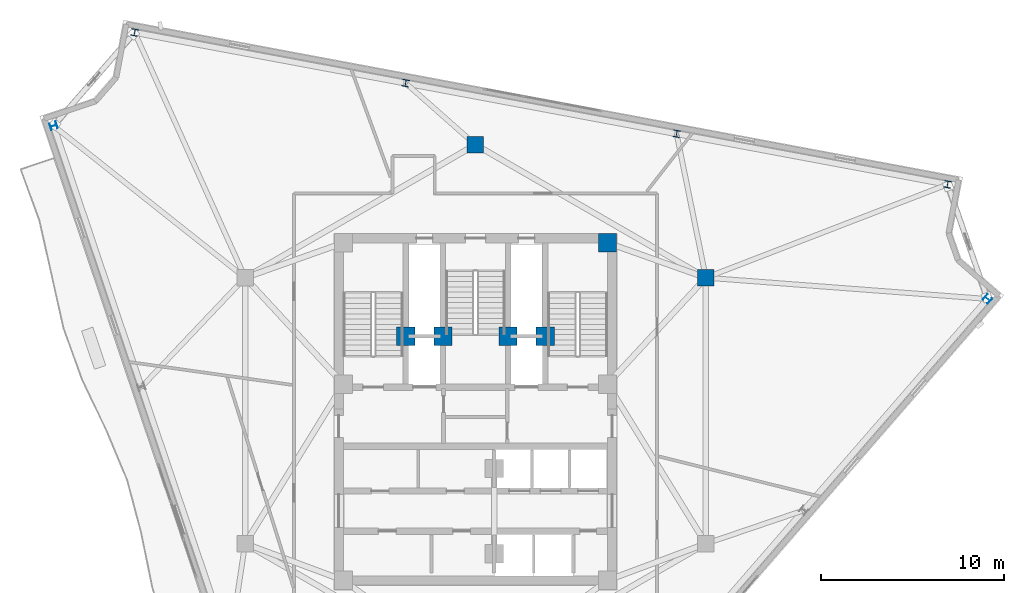
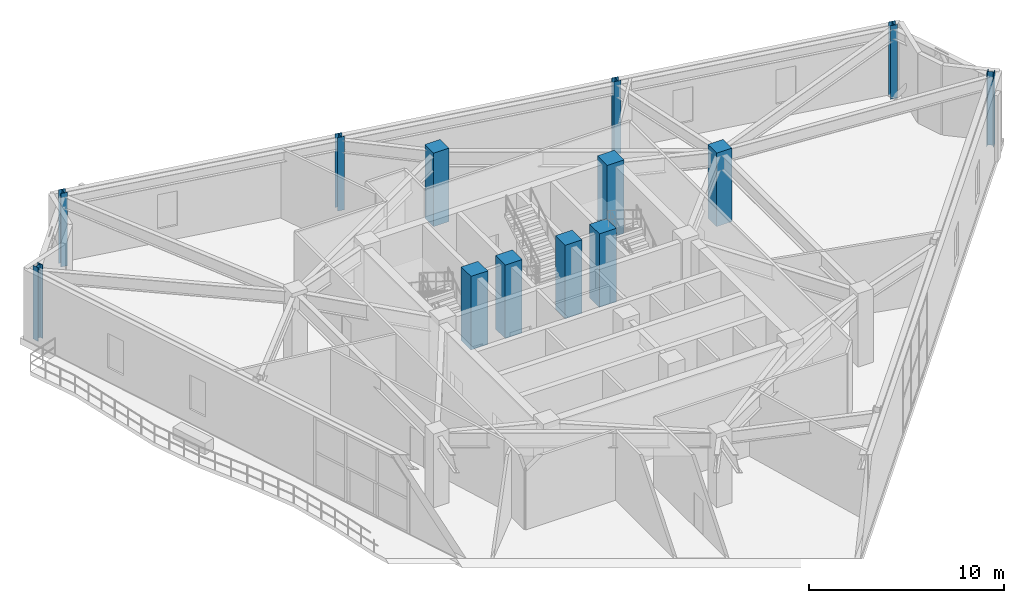
# One storey, part 2 of 15: 13 columns.
"""IFC4 building model written with IfcOpenShell, lengths in metres."""

import ifcopenshell
import ifcopenshell.guid

model = None  # the IFC model being written
_history = None  # IfcOwnerHistory: only IFC2X3 demands one
_inside = {}  # id of a spatial element -> (the spatial element, [elements in it])
_under = {}  # id of a project, library or spatial element -> (it, [spatial elements below it])
_declared = {}  # id of a project -> (the project, [libraries it declares])
_typed = {}  # id of a type object -> (the type object, [elements of that type])
_made_of = {}  # id of a material, layer set ... -> (it, [elements and type objects made of it])


def new_model(schema):
    """Start an empty IFC model of exactly this schema.

    Asked for "IFC4X3", IfcOpenShell would pick the latest addendum, in which some entities
    have other attributes; the version numbers below select the first issue.
    IFC2X3 requires an IfcOwnerHistory on every rooted entity: one is made here for all.
    """
    global model, _history
    if schema == "IFC4X3":
        model = ifcopenshell.file(schema_version=(4, 3, 0, 0))
    else:
        model = ifcopenshell.file(schema=schema)
    _inside.clear()
    _under.clear()
    _declared.clear()
    _typed.clear()
    _made_of.clear()
    _history = None
    if model.schema == "IFC2X3":
        org = make("IfcOrganization", Name="unknown")
        user = make(
            "IfcPersonAndOrganization",
            ThePerson=make("IfcPerson", FamilyName="unknown"),
            TheOrganization=org,
        )
        app = make(
            "IfcApplication",
            ApplicationDeveloper=org,
            Version="unknown",
            ApplicationFullName="unknown",
            ApplicationIdentifier="unknown",
        )
        _history = make(
            "IfcOwnerHistory",
            OwningUser=user,
            OwningApplication=app,
            ChangeAction="ADDED",
            CreationDate=0,
        )
    return model


def make(cls, **values):
    """One entity of the class cls with the attributes given. An attribute that is None is left unset."""
    return model.create_entity(
        cls, **{name: value for name, value in values.items() if value is not None}
    )


def rooted(cls, **values):
    """An entity with a GlobalId (a new one), such as an element, a storey or a relation."""
    return make(cls, GlobalId=ifcopenshell.guid.new(), OwnerHistory=_history, **values)


def si_unit(unit_type, name, prefix=None):
    """IfcSIUnit, for example si_unit("LENGTHUNIT", "METRE", prefix="MILLI")."""
    return make("IfcSIUnit", UnitType=unit_type, Prefix=prefix, Name=name)


def assignment(units):
    """IfcUnitAssignment: the units of a project."""
    return None if units is None else make("IfcUnitAssignment", Units=units)


def point(xyz):
    """IfcCartesianPoint."""
    return None if xyz is None else make("IfcCartesianPoint", Coordinates=xyz)


def direction(xyz):
    """IfcDirection."""
    return None if xyz is None else make("IfcDirection", DirectionRatios=xyz)


def frame(location, z_axis=None, x_axis=None):
    """IfcAxis2Placement3D, a coordinate frame: its origin and axes. An axis left out is left unset."""
    return make(
        "IfcAxis2Placement3D",
        Location=point(location),
        Axis=direction(z_axis),
        RefDirection=direction(x_axis),
    )


def frame_2d(location, x_axis=None):
    """IfcAxis2Placement2D, a coordinate frame in the plane: its origin and x axis."""
    return make(
        "IfcAxis2Placement2D", Location=point(location), RefDirection=direction(x_axis)
    )


def origin():
    """The frame at (0, 0, 0) with its axes left unset."""
    return frame((0.0, 0.0, 0.0))


def origin_2d():
    """The frame at (0, 0) in the plane with its x axis left unset."""
    return frame_2d((0.0, 0.0))


def place(relative_to, where):
    """IfcLocalPlacement: puts the frame where relative to a parent placement (None: the world)."""
    return make(
        "IfcLocalPlacement", PlacementRelTo=relative_to, RelativePlacement=where
    )


def context(
    kind, dimensions, precision=None, world=None, true_north=None, identifier=None
):
    """IfcGeometricRepresentationContext, for example the 3D "Model" context."""
    return make(
        "IfcGeometricRepresentationContext",
        ContextIdentifier=identifier,
        ContextType=kind,
        CoordinateSpaceDimension=dimensions,
        Precision=precision,
        WorldCoordinateSystem=world,
        TrueNorth=true_north,
    )


def subcontext(parent, identifier, kind, view, scale=None):
    """IfcGeometricRepresentationSubContext, for example "Body" below "Model"."""
    return make(
        "IfcGeometricRepresentationSubContext",
        ContextIdentifier=identifier,
        ContextType=kind,
        ParentContext=parent,
        TargetScale=scale,
        TargetView=view,
    )


def project(units=None, contexts=None):
    """IfcProject with its units and contexts."""
    return rooted(
        "IfcProject",
        Name="project",
        RepresentationContexts=contexts,
        UnitsInContext=assignment(units),
    )


def spatial(cls, under=None, at=None, **own):
    """A site, building, storey or space (cls), placed at a placement, below another one or the project."""
    s = rooted(cls, ObjectPlacement=at, **own)
    if under is not None:
        _under.setdefault(under.id(), (under, []))[1].append(s)
    return s


def profile(cls, at=None, kind="AREA", **sizes):
    """A parametric profile (cls). Its sizes go by their IFC names, for example OverallWidth=200.0."""
    return make(cls, ProfileType=kind, Position=at, **sizes)


def rectangle(**sizes):
    """IfcRectangleProfileDef."""
    return profile("IfcRectangleProfileDef", **sizes)


def i_section(**sizes):
    """IfcIShapeProfileDef."""
    return profile("IfcIShapeProfileDef", **sizes)


def extrude(swept, where, along, depth):
    """IfcExtrudedAreaSolid: the profile swept, set in the frame where, extruded along a direction by depth."""
    return make(
        "IfcExtrudedAreaSolid",
        SweptArea=swept,
        Position=where,
        ExtrudedDirection=direction(along),
        Depth=depth,
    )


def shape(context_of_items, identifier, shape_type, items):
    """IfcShapeRepresentation: the items that make up one representation, for example the "Body"."""
    return make(
        "IfcShapeRepresentation",
        ContextOfItems=context_of_items,
        RepresentationIdentifier=identifier,
        RepresentationType=shape_type,
        Items=items,
    )


def material(Name=None, Category=None):
    """IfcMaterial."""
    return make("IfcMaterial", Name=Name, Category=Category)


def material_profile(
    of_material, cross_section, Name=None, Category=None, Priority=None
):
    """IfcMaterialProfile: a cross section and its material."""
    return make(
        "IfcMaterialProfile",
        Name=Name,
        Material=of_material,
        Profile=cross_section,
        Priority=Priority,
        Category=Category,
    )


def profile_set(profiles, Name=None, composite=None):
    """IfcMaterialProfileSet."""
    return make(
        "IfcMaterialProfileSet",
        Name=Name,
        MaterialProfiles=profiles,
        CompositeProfile=composite,
    )


def made_of(thing, what):
    """Note that an element or type object is made of a material, layer set ...; save() writes the relation."""
    if what is not None:
        _made_of.setdefault(what.id(), (what, []))[1].append(thing)
    return thing


def type_object(cls, material=None, **own):
    """A type object (cls), such as IfcWallType, which elements share."""
    return made_of(rooted(cls, **own), material)


def element(
    cls,
    number,
    at=None,
    inside=None,
    cuts=None,
    type_object=None,
    material=None,
    context=None,
    identifier="Body",
    shape_type=None,
    held_by="IfcProductDefinitionShape",
    body=None,
    shapes=None,
    **own,
):
    """One element of the class cls, such as IfcWall. Its Tag is "e" and its number.

    at: its placement. inside: the storey or other place that contains it. cuts: it is an
    opening in that element (IfcRelVoidsElement). A single representation is given by context,
    identifier, shape_type and body (its items); several are given by shapes. held_by: the class
    of the entity that holds the representations. save() writes the other relations.
    """
    e = rooted(cls, Tag="e%d" % number, ObjectPlacement=at, **own)
    if body is not None:
        shapes = [shape(context, identifier, shape_type, body)]
    if shapes is not None:
        e.Representation = make(held_by, Representations=shapes)
    if inside is not None:
        _inside.setdefault(inside.id(), (inside, []))[1].append(e)
    if cuts is not None:
        rooted(
            "IfcRelVoidsElement", RelatingBuildingElement=cuts, RelatedOpeningElement=e
        )
    if type_object is not None:
        _typed.setdefault(type_object.id(), (type_object, []))[1].append(e)
    return made_of(e, material)


def aggregate(whole, parts):
    """IfcRelAggregates: a whole, such as a stair, and the parts it consists of."""
    return rooted("IfcRelAggregates", RelatingObject=whole, RelatedObjects=parts)


def save(model, path):
    """Write the relations noted so far, then the file.

    IfcRelAggregates (storeys below a building ...), IfcRelContainedInSpatialStructure (elements
    in a storey), IfcRelDefinesByType, IfcRelAssociatesMaterial and IfcRelDeclares: one each for
    every whole, place, type object, material and project.
    """
    for whole, parts in _under.values():
        aggregate(whole, parts)
    for where, things in _inside.values():
        rooted(
            "IfcRelContainedInSpatialStructure",
            RelatedElements=things,
            RelatingStructure=where,
        )
    for kind, things in _typed.values():
        rooted("IfcRelDefinesByType", RelatedObjects=things, RelatingType=kind)
    for what, things in _made_of.values():
        rooted("IfcRelAssociatesMaterial", RelatedObjects=things, RelatingMaterial=what)
    for by, libraries in _declared.values():
        rooted("IfcRelDeclares", RelatingContext=by, RelatedDefinitions=libraries)
    model.write(path)


model = new_model("IFC4")

# Units and contexts
model_context = context("Model", 3, precision=1e-05, world=origin(), true_north=direction((0.0, 1.0)))
body_context = subcontext(model_context, "Body", "Model", "MODEL_VIEW")
ifc_project = project(units=[si_unit("LENGTHUNIT", "METRE"), si_unit("AREAUNIT", "SQUARE_METRE"), si_unit("VOLUMEUNIT", "CUBIC_METRE"), si_unit("PLANEANGLEUNIT", "RADIAN"), si_unit("MASSUNIT", "GRAM", prefix="KILO")], contexts=[model_context])

# Site, building, storey
site_placement = place(None, origin())
site = spatial("IfcSite", under=ifc_project, at=site_placement, CompositionType="ELEMENT")
building_placement = place(site_placement, origin())
building = spatial("IfcBuilding", under=site, at=building_placement, Name="Apsidion Concourse Tower", CompositionType="ELEMENT")
storey_placement = place(building_placement, frame((0.0, 0.0, 260.89990234375)))
storey = spatial("IfcBuildingStorey", under=building, at=storey_placement, Name="L61", CompositionType="ELEMENT", Elevation=260.89990234375)

# Columns
ifc_material_1 = material(Name="Concrete C50/60", Category="concrete")
ifc_material_profile_1 = material_profile(ifc_material_1, rectangle(XDim=1.0, YDim=1.0, at=origin_2d()), Name="RC 1000x1000")
ifc_profile_set_1 = profile_set([ifc_material_profile_1], Name="Concrete C50/60")
column_type_1 = type_object("IfcColumnType", Name="COL-RC-1000", PredefinedType="COLUMN", material=ifc_profile_set_1)
for number, where, z_axis, x_axis, name in (
    (1, (7.199951171875, 9.14990234375, 0.0), (0.0, 0.0, 1.0), (1.0, 0.0, 0.0), "L61 Core Super-Column SC4"),
    (2, (-3.800048828125, 4.050048828125, 0.0), (0.0, 0.0, 1.0), (1.0, 0.0, 0.0), "L61 Core Super-Column CC1"),
    (3, (3.800048828125, 4.050048828125, 0.0), (0.0, 0.0, 1.0), (1.0, 0.0, 0.0), "L61 Core Super-Column CC2"),
    (4, (-1.77490234375, 4.050048828125, 0.0), (0.0, 0.0, 1.0), (1.0, 0.0, 0.0), "L61 Core Super-Column CC3"),
    (5, (1.77490234375, 4.050048828125, 0.0), (0.0, 0.0, 1.0), (1.0, 0.0, 0.0), "L61 Core Super-Column CC4"),
):
    element("IfcColumn", number, at=place(storey_placement, frame(where, z_axis=z_axis, x_axis=x_axis)), inside=storey, type_object=column_type_1, Name=name, PredefinedType="COLUMN", context=body_context, shape_type="SweptSolid", body=[
        extrude(rectangle(XDim=1.0, YDim=1.0, at=origin_2d()), origin(), (0.0, 0.0, 1.0), 4.60009765625),
    ])
ifc_material_profile_2 = material_profile(ifc_material_1, rectangle(XDim=0.89990234375, YDim=0.89990234375, at=origin_2d()), Name="RC 900x900")
ifc_profile_set_2 = profile_set([ifc_material_profile_2], Name="Concrete C50/60")
column_type_2 = type_object("IfcColumnType", Name="COL-RC-900", PredefinedType="COLUMN", material=ifc_profile_set_2)
for number, where, z_axis, x_axis, name in (
    (6, (12.56005859375, 7.25, 0.0), (0.0, 0.0, 1.0), (1.0, 0.0, 0.0), "L61 Interior Spine Column IC3"),
    (7, (0.0, 14.5, 0.0), (0.0, 0.0, 1.0), (1.0, 0.0, 0.0), "L61 Interior Spine Column IC4"),
):
    element("IfcColumn", number, at=place(storey_placement, frame(where, z_axis=z_axis, x_axis=x_axis)), inside=storey, type_object=column_type_2, Name=name, PredefinedType="COLUMN", context=body_context, shape_type="SweptSolid", body=[
        extrude(rectangle(XDim=0.89990234375, YDim=0.89990234375, at=origin_2d()), origin(), (0.0, 0.0, 1.0), 4.60009765625),
    ])
ifc_material_2 = material(Name="Structural steel ASTM A992 Grade 50", Category="steel")
ifc_material_profile_3 = material_profile(ifc_material_2, i_section(OverallWidth=0.373046875, OverallDepth=0.373046875, WebThickness=0.016357421875, FlangeThickness=0.026123046875, at=origin_2d()), Name="W14X132")
ifc_profile_set_3 = profile_set([ifc_material_profile_3], Name="Structural steel ASTM A992 Grade 50")
column_type_3 = type_object("IfcColumnType", Name="COL-W14-132", PredefinedType="COLUMN", material=ifc_profile_set_3)
for number, where, z_axis, x_axis, name in (
    (8, (-23.00439453125, 15.53125, 0.0), (0.0, 0.0, 1.0), (-0.318628456287, 0.947879690069, 0.0), "L61 Rotated Perimeter Column PC01"),
    (9, (27.91455078125, 6.091064453125, 0.0), (0.0, 0.0, 1.0), (0.656059028991, 0.754709580223, 0.0), "L61 Rotated Perimeter Column PC08"),
    (10, (25.73779296875, 12.33837890625, 0.0), (0.0, 0.0, 1.0), (-0.982999500399, 0.183608230249, 0.0), "L61 Rotated Perimeter Column PC09"),
    (11, (10.964599609375, 15.0986328125, 0.0), (0.0, 0.0, 1.0), (-0.982999500399, 0.183608230249, 0.0), "L61 Rotated Perimeter Column PC10"),
    (12, (-3.80859375, 17.85888671875, 0.0), (0.0, 0.0, 1.0), (-0.982999500399, 0.183608230249, 0.0), "L61 Rotated Perimeter Column PC11"),
    (13, (-18.58154296875, 20.619140625, 0.0), (0.0, 0.0, 1.0), (-0.982999500399, 0.183608230249, 0.0), "L61 Rotated Perimeter Column PC12"),
):
    element("IfcColumn", number, at=place(storey_placement, frame(where, z_axis=z_axis, x_axis=x_axis)), inside=storey, type_object=column_type_3, Name=name, PredefinedType="COLUMN", context=body_context, shape_type="SweptSolid", body=[
        extrude(i_section(OverallWidth=0.373046875, OverallDepth=0.373046875, WebThickness=0.016357421875, FlangeThickness=0.026123046875, at=origin_2d()), origin(), (0.0, 0.0, 1.0), 4.60009765625),
    ])

save(model, "model.ifc")
